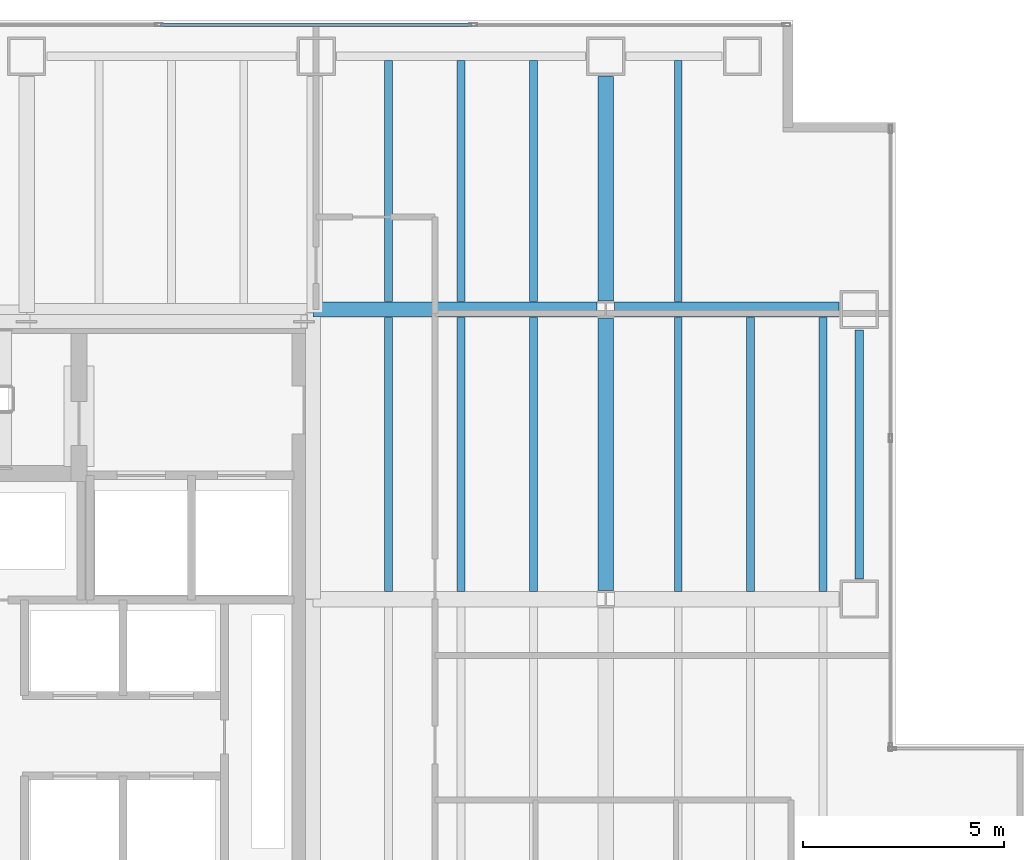
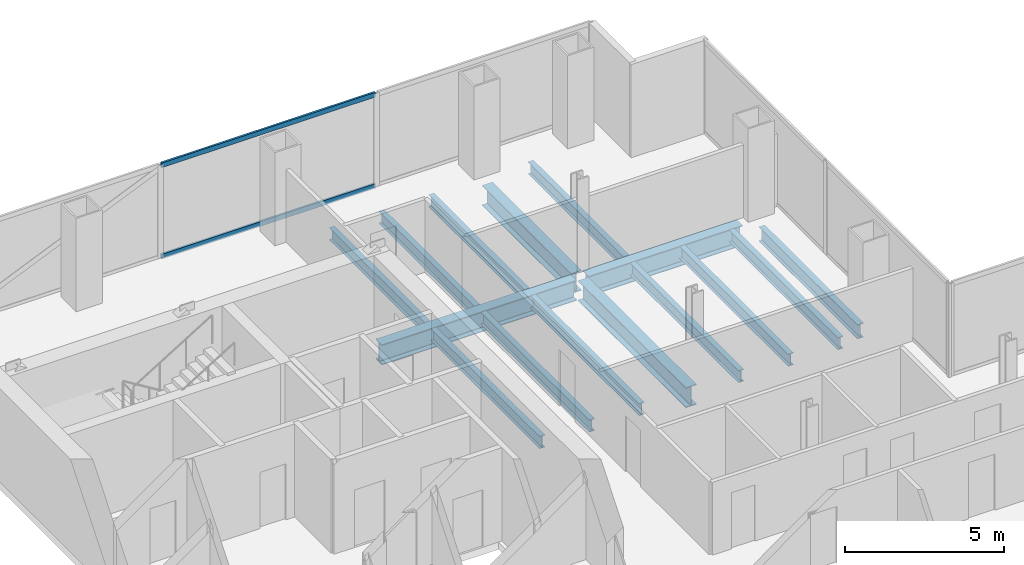
# One storey, part 17 of 24: 15 beams, 2 members, 1 element without a shape of its own.
"""IFC4 building model written with IfcOpenShell, lengths in metres."""

from ifc_helpers import new_model, si_unit, direction, frame, origin, origin_2d, place, context, subcontext, project, spatial, hollow_rectangle, i_section, extrude, material, material_profile, profile_set, type_object, element, aggregate, save


model = new_model("IFC4")

# Units and contexts
model_context = context("Model", 3, precision=1e-05, world=origin(), true_north=direction((0.0, 1.0)))
body_context = subcontext(model_context, "Body", "Model", "MODEL_VIEW")
ifc_project = project(units=[si_unit("LENGTHUNIT", "METRE"), si_unit("AREAUNIT", "SQUARE_METRE"), si_unit("VOLUMEUNIT", "CUBIC_METRE"), si_unit("PLANEANGLEUNIT", "RADIAN"), si_unit("MASSUNIT", "GRAM", prefix="KILO")], contexts=[model_context])

# Site, building, storey
site_placement = place(None, origin())
site = spatial("IfcSite", under=ifc_project, at=site_placement, CompositionType="ELEMENT")
building_placement = place(site_placement, origin())
building = spatial("IfcBuilding", under=site, at=building_placement, Name="Cobrela Telecom Tower", CompositionType="ELEMENT")
storey_placement = place(building_placement, frame((0.0, 0.0, 77.35009765625)))
storey = spatial("IfcBuildingStorey", under=building, at=storey_placement, Name="L19", CompositionType="ELEMENT", Elevation=77.35009765625)

# Beams
ifc_material_1 = material(Name="Steel ASTM A992 Grade 50", Category="steel")
ifc_material_profile_1 = material_profile(ifc_material_1, i_section(OverallWidth=0.381103515625, OverallDepth=0.77197265625, WebThickness=0.0166015625, FlangeThickness=0.027099609375, FilletRadius=0.01904296875, at=origin_2d()), Name="W30X173")
ifc_profile_set_1 = profile_set([ifc_material_profile_1], Name="Steel ASTM A992 Grade 50")
beam_type_1 = type_object("IfcBeamType", Name="BM-GIRD-04", PredefinedType="USERDEFINED", material=ifc_profile_set_1)
beam_1_placement = place(storey_placement, frame((14.324951171875, 36.0, -0.666015625), z_axis=(1.0, 0.0, 0.0), x_axis=(0.0, 1.0, 0.0)))
element("IfcBeam", 1, at=beam_1_placement, inside=storey, type_object=beam_type_1, Name="L19 Primary Girder X27", ObjectType="GIRDER", PredefinedType="USERDEFINED", context=body_context, shape_type="SweptSolid", body=[
    extrude(i_section(OverallWidth=0.381103515625, OverallDepth=0.77197265625, WebThickness=0.0166015625, FlangeThickness=0.027099609375, FilletRadius=0.01904296875, at=origin_2d()), origin(), (0.0, 0.0, 1.0), 7.05908203125),
])
beam_2_placement = place(storey_placement, frame((21.81591796875, 36.0, -0.666015625), z_axis=(1.0, 0.0, 0.0), x_axis=(0.0, 1.0, 0.0)))
element("IfcBeam", 2, at=beam_2_placement, inside=storey, type_object=beam_type_1, Name="L19 Primary Girder X28", ObjectType="GIRDER", PredefinedType="USERDEFINED", context=body_context, shape_type="SweptSolid", body=[
    extrude(i_section(OverallWidth=0.381103515625, OverallDepth=0.77197265625, WebThickness=0.0166015625, FlangeThickness=0.027099609375, FilletRadius=0.01904296875, at=origin_2d()), origin(), (0.0, 0.0, 1.0), 5.5791015625),
])
beam_3_placement = place(storey_placement, frame((21.60009765625, 29.01611328125, -0.666015625), z_axis=(0.0, 1.0, 0.0), x_axis=(-1.0, 0.0, 0.0)))
element("IfcBeam", 3, at=beam_3_placement, inside=storey, type_object=beam_type_1, Name="L19 Primary Girder Y44", ObjectType="GIRDER", PredefinedType="USERDEFINED", context=body_context, shape_type="SweptSolid", body=[
    extrude(i_section(OverallWidth=0.381103515625, OverallDepth=0.77197265625, WebThickness=0.0166015625, FlangeThickness=0.027099609375, FilletRadius=0.01904296875, at=origin_2d()), origin(), (0.0, 0.0, 1.0), 6.767822265625),
])
beam_4_placement = place(storey_placement, frame((21.60009765625, 36.216064453125, -0.666015625), z_axis=(0.0, 1.0, 0.0), x_axis=(-1.0, 0.0, 0.0)))
element("IfcBeam", 4, at=beam_4_placement, inside=storey, type_object=beam_type_1, Name="L19 Primary Girder Y45", ObjectType="GIRDER", PredefinedType="USERDEFINED", context=body_context, shape_type="SweptSolid", body=[
    extrude(i_section(OverallWidth=0.381103515625, OverallDepth=0.77197265625, WebThickness=0.0166015625, FlangeThickness=0.027099609375, FilletRadius=0.01904296875, at=origin_2d()), origin(), (0.0, 0.0, 1.0), 5.578857421875),
])
ifc_material_profile_2 = material_profile(ifc_material_1, i_section(OverallWidth=0.193115234375, OverallDepth=0.467041015625, WebThickness=0.011474609375, FlangeThickness=0.01904296875, FilletRadius=0.012939453125, at=origin_2d()), Name="W18X65")
ifc_profile_set_2 = profile_set([ifc_material_profile_2], Name="Steel ASTM A992 Grade 50")
beam_type_2 = type_object("IfcBeamType", Name="BM-JOIST-03", PredefinedType="JOIST", material=ifc_profile_set_2)
beam_5_placement = place(storey_placement, frame((16.199951171875, 28.99560546875, -0.513671875), z_axis=(0.0, 1.0, 0.0), x_axis=(-1.0, 0.0, 0.0)))
element("IfcBeam", 5, at=beam_5_placement, inside=storey, type_object=beam_type_2, Name="L19 Secondary Composite Floor Beam J11", PredefinedType="JOIST", context=body_context, shape_type="SweptSolid", body=[
    extrude(i_section(OverallWidth=0.193115234375, OverallDepth=0.467041015625, WebThickness=0.011474609375, FlangeThickness=0.01904296875, FilletRadius=0.012939453125, at=origin_2d()), origin(), (0.0, 0.0, 1.0), 6.808837890625),
])
beam_6_placement = place(storey_placement, frame((16.199951171875, 36.195556640625, -0.513671875), z_axis=(0.0, 1.0, 0.0), x_axis=(-1.0, 0.0, 0.0)))
element("IfcBeam", 6, at=beam_6_placement, inside=storey, type_object=beam_type_2, Name="L19 Secondary Composite Floor Beam J12", PredefinedType="JOIST", context=body_context, shape_type="SweptSolid", body=[
    extrude(i_section(OverallWidth=0.193115234375, OverallDepth=0.467041015625, WebThickness=0.011474609375, FlangeThickness=0.01904296875, FilletRadius=0.012939453125, at=origin_2d()), origin(), (0.0, 0.0, 1.0), 5.992919921875),
])
beam_7_placement = place(storey_placement, frame((18.0, 28.99560546875, -0.513671875), z_axis=(0.0, 1.0, 0.0), x_axis=(-1.0, 0.0, 0.0)))
element("IfcBeam", 7, at=beam_7_placement, inside=storey, type_object=beam_type_2, Name="L19 Secondary Composite Floor Beam J17", PredefinedType="JOIST", context=body_context, shape_type="SweptSolid", body=[
    extrude(i_section(OverallWidth=0.193115234375, OverallDepth=0.467041015625, WebThickness=0.011474609375, FlangeThickness=0.01904296875, FilletRadius=0.012939453125, at=origin_2d()), origin(), (0.0, 0.0, 1.0), 6.808837890625),
])
beam_8_placement = place(storey_placement, frame((18.0, 36.195556640625, -0.513671875), z_axis=(0.0, 1.0, 0.0), x_axis=(-1.0, 0.0, 0.0)))
element("IfcBeam", 8, at=beam_8_placement, inside=storey, type_object=beam_type_2, Name="L19 Secondary Composite Floor Beam J18", PredefinedType="JOIST", context=body_context, shape_type="SweptSolid", body=[
    extrude(i_section(OverallWidth=0.193115234375, OverallDepth=0.467041015625, WebThickness=0.011474609375, FlangeThickness=0.01904296875, FilletRadius=0.012939453125, at=origin_2d()), origin(), (0.0, 0.0, 1.0), 5.992919921875),
])
beam_9_placement = place(storey_placement, frame((19.800048828125, 28.99560546875, -0.513671875), z_axis=(0.0, 1.0, 0.0), x_axis=(-1.0, 0.0, 0.0)))
element("IfcBeam", 9, at=beam_9_placement, inside=storey, type_object=beam_type_2, Name="L19 Secondary Composite Floor Beam J23", PredefinedType="JOIST", context=body_context, shape_type="SweptSolid", body=[
    extrude(i_section(OverallWidth=0.193115234375, OverallDepth=0.467041015625, WebThickness=0.011474609375, FlangeThickness=0.01904296875, FilletRadius=0.012939453125, at=origin_2d()), origin(), (0.0, 0.0, 1.0), 6.808837890625),
])
beam_10_placement = place(storey_placement, frame((19.800048828125, 36.195556640625, -0.513671875), z_axis=(0.0, 1.0, 0.0), x_axis=(-1.0, 0.0, 0.0)))
element("IfcBeam", 10, at=beam_10_placement, inside=storey, type_object=beam_type_2, Name="L19 Secondary Composite Floor Beam J24", PredefinedType="JOIST", context=body_context, shape_type="SweptSolid", body=[
    extrude(i_section(OverallWidth=0.193115234375, OverallDepth=0.467041015625, WebThickness=0.011474609375, FlangeThickness=0.01904296875, FilletRadius=0.012939453125, at=origin_2d()), origin(), (0.0, 0.0, 1.0), 5.992919921875),
])
beam_11_placement = place(storey_placement, frame((23.39990234375, 28.99560546875, -0.513671875), z_axis=(0.0, 1.0, 0.0), x_axis=(-1.0, 0.0, 0.0)))
element("IfcBeam", 11, at=beam_11_placement, inside=storey, type_object=beam_type_2, Name="L19 Secondary Composite Floor Beam J29", PredefinedType="JOIST", context=body_context, shape_type="SweptSolid", body=[
    extrude(i_section(OverallWidth=0.193115234375, OverallDepth=0.467041015625, WebThickness=0.011474609375, FlangeThickness=0.01904296875, FilletRadius=0.012939453125, at=origin_2d()), origin(), (0.0, 0.0, 1.0), 6.808837890625),
])
beam_12_placement = place(storey_placement, frame((23.39990234375, 36.195556640625, -0.513671875), z_axis=(0.0, 1.0, 0.0), x_axis=(-1.0, 0.0, 0.0)))
element("IfcBeam", 12, at=beam_12_placement, inside=storey, type_object=beam_type_2, Name="L19 Secondary Composite Floor Beam J30", PredefinedType="JOIST", context=body_context, shape_type="SweptSolid", body=[
    extrude(i_section(OverallWidth=0.193115234375, OverallDepth=0.467041015625, WebThickness=0.011474609375, FlangeThickness=0.01904296875, FilletRadius=0.012939453125, at=origin_2d()), origin(), (0.0, 0.0, 1.0), 5.992919921875),
])
for number, where, z_axis, x_axis, name in (
    (13, (25.199951171875, 28.99560546875, -0.513671875), (0.0, 1.0, 0.0), (-1.0, 0.0, 0.0), "L19 Secondary Composite Floor Beam J35"),
    (14, (27.0, 28.99560546875, -0.513671875), (0.0, 1.0, 0.0), (-1.0, 0.0, 0.0), "L19 Secondary Composite Floor Beam J40"),
):
    element("IfcBeam", number, at=place(storey_placement, frame(where, z_axis=z_axis, x_axis=x_axis)), inside=storey, type_object=beam_type_2, Name=name, PredefinedType="JOIST", context=body_context, shape_type="SweptSolid", body=[
        extrude(i_section(OverallWidth=0.193115234375, OverallDepth=0.467041015625, WebThickness=0.011474609375, FlangeThickness=0.01904296875, FilletRadius=0.012939453125, at=origin_2d()), origin(), (0.0, 0.0, 1.0), 6.808837890625),
    ])
ifc_material_profile_3 = material_profile(ifc_material_1, i_section(OverallWidth=0.212890625, OverallDepth=0.549072265625, WebThickness=0.0146484375, FlangeThickness=0.023681640625, FilletRadius=0.013916015625, at=origin_2d()), Name="W21X93")
ifc_profile_set_3 = profile_set([ifc_material_profile_3], Name="Steel ASTM A992 Grade 50")
beam_type_3 = type_object("IfcBeamType", Name="BM-SPAND-03", PredefinedType="SPANDREL", material=ifc_profile_set_3)
beam_13_placement = place(storey_placement, frame((27.89990234375, 29.304931640625, -0.5546875), z_axis=(0.0, 1.0, 0.0), x_axis=(-1.0, 0.0, 0.0)))
element("IfcBeam", 15, at=beam_13_placement, inside=storey, type_object=beam_type_3, Name="L19 Perimeter Spandrel Y46", PredefinedType="SPANDREL", context=body_context, shape_type="SweptSolid", body=[
    extrude(i_section(OverallWidth=0.212890625, OverallDepth=0.549072265625, WebThickness=0.0146484375, FlangeThickness=0.023681640625, FilletRadius=0.013916015625, at=origin_2d()), origin(), (0.0, 0.0, 1.0), 6.190185546875),
])

# Curtain wall, members
ifc_material_2 = material(Name="Anodized Bronze Aluminium 6063-T6", Category="aluminium")
curtain_wall_type = type_object("IfcCurtainWallType", Name="CW-SYS-DATA", PredefinedType="USERDEFINED", material=ifc_material_2)
curtain_wall_placement = place(storey_placement, origin())
curtain_wall = element("IfcCurtainWall", 16, at=curtain_wall_placement, inside=storey, type_object=curtain_wall_type, Name="L19 Unitised Bronze Curtain Wall 07", ObjectType="UNITISED CURTAIN WALL", PredefinedType="USERDEFINED")
ifc_material_profile_4 = material_profile(ifc_material_2, hollow_rectangle(XDim=0.074951171875, YDim=0.179931640625, WallThickness=0.00390625, at=origin_2d()), Name="ALU 75x180x4")
ifc_profile_set_4 = profile_set([ifc_material_profile_4], Name="Anodized Bronze Aluminium 6063-T6")
member_type = type_object("IfcMemberType", Name="CW-SYS-DATA-TRN", PredefinedType="USERDEFINED", material=ifc_profile_set_4)
member_1_placement = place(storey_placement, frame((10.530029296875, 43.080078125, 0.037353515625), z_axis=(1.0, 0.0, 0.0), x_axis=(0.0, 1.0, 0.0)))
member_1 = element("IfcMember", 17, at=member_1_placement, type_object=member_type, Name="CW-DATA transom 2.1", ObjectType="TRANSOM", PredefinedType="USERDEFINED", context=body_context, shape_type="SweptSolid", body=[
    extrude(hollow_rectangle(XDim=0.074951171875, YDim=0.179931640625, WallThickness=0.00390625, at=origin_2d()), origin(), (0.0, 0.0, 1.0), 7.739990234375),
])
member_2_placement = place(storey_placement, frame((10.530029296875, 43.080078125, 3.532470703125), z_axis=(1.0, 0.0, 0.0), x_axis=(0.0, 1.0, 0.0)))
member_2 = element("IfcMember", 18, at=member_2_placement, type_object=member_type, Name="CW-DATA transom 2.2", ObjectType="TRANSOM", PredefinedType="USERDEFINED", context=body_context, shape_type="SweptSolid", body=[
    extrude(hollow_rectangle(XDim=0.074951171875, YDim=0.179931640625, WallThickness=0.00390625, at=origin_2d()), origin(), (0.0, 0.0, 1.0), 7.739990234375),
])
aggregate(curtain_wall, [member_1, member_2])

save(model, "model.ifc")
